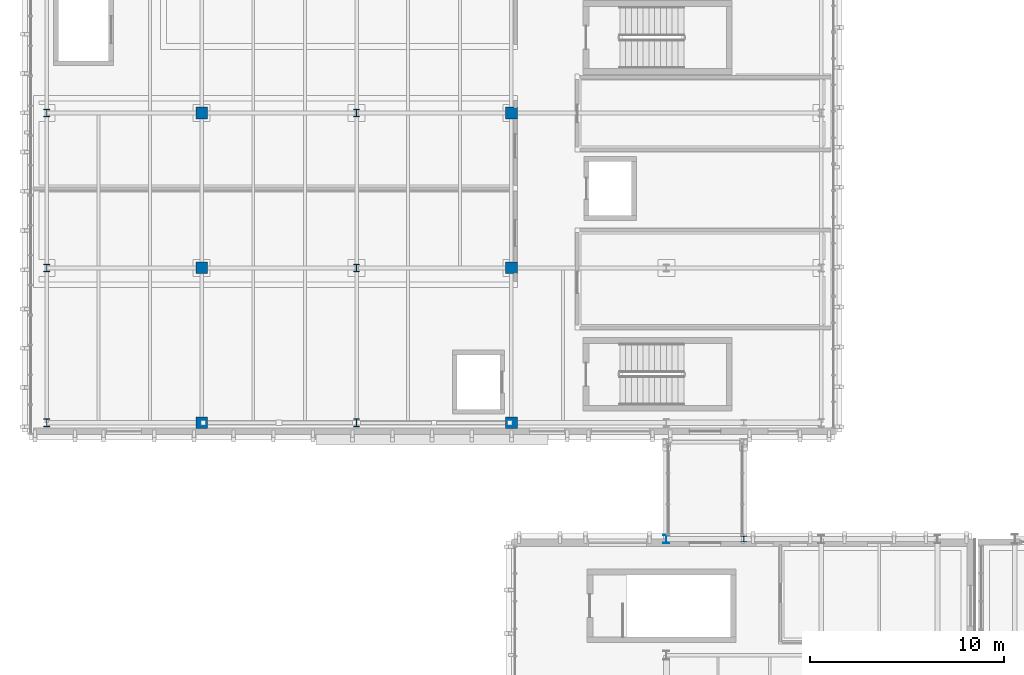
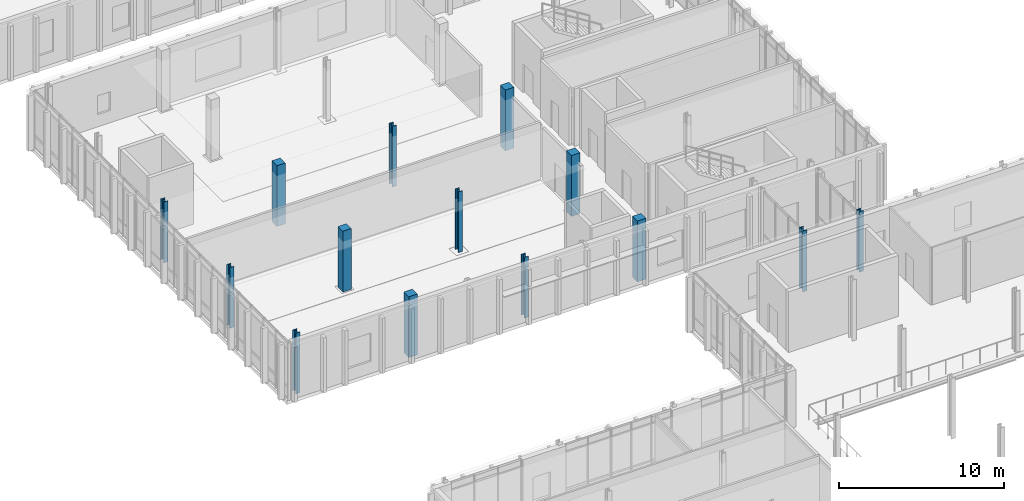
# One storey, part 4 of 100: 14 columns.
"""IFC4 building model written with IfcOpenShell, lengths in metres."""

from ifc_helpers import new_model, si_unit, direction, frame, origin, origin_2d, place, context, subcontext, project, spatial, rectangle, i_section, extrude, material, material_profile, profile_set, type_object, element, save


model = new_model("IFC4")

# Units and contexts
model_context = context("Model", 3, precision=1e-05, world=origin(), true_north=direction((0.0, 1.0)))
body_context = subcontext(model_context, "Body", "Model", "MODEL_VIEW")
ifc_project = project(units=[si_unit("LENGTHUNIT", "METRE"), si_unit("AREAUNIT", "SQUARE_METRE"), si_unit("VOLUMEUNIT", "CUBIC_METRE"), si_unit("PLANEANGLEUNIT", "RADIAN"), si_unit("MASSUNIT", "GRAM", prefix="KILO")], contexts=[model_context])

# Site, building, storey
site_placement = place(None, origin())
site = spatial("IfcSite", under=ifc_project, at=site_placement, CompositionType="ELEMENT")
building_placement = place(site_placement, origin())
building = spatial("IfcBuilding", under=site, at=building_placement, Name="Cymarion Research Institute", CompositionType="ELEMENT")
storey_placement = place(building_placement, frame((0.0, 0.0, 9.300048828125)))
storey = spatial("IfcBuildingStorey", under=building, at=storey_placement, Name="L02", CompositionType="ELEMENT", Elevation=9.300048828125)

# Columns
ifc_material_1 = material(Name="Steel S355", Category="steel")
ifc_material_profile_1 = material_profile(ifc_material_1, i_section(OverallWidth=0.300048828125, OverallDepth=0.449951171875, WebThickness=0.013916015625, FlangeThickness=0.02587890625, FilletRadius=0.027099609375, at=origin_2d()), Name="HEB 450")
ifc_profile_set_1 = profile_set([ifc_material_profile_1], Name="Steel S355")
column_type_1 = type_object("IfcColumnType", Name="STRUCTURAL COLUMN C05 HEB 450", PredefinedType="COLUMN", material=ifc_profile_set_1)
column_1_placement = place(storey_placement, frame((38.60009765625, 41.5, 0.0), z_axis=(0.0, 0.0, 1.0), x_axis=(1.0, 0.0, 0.0)))
element("IfcColumn", 1, at=column_1_placement, inside=storey, type_object=column_type_1, Name="L02 V3 column C05 #730", PredefinedType="COLUMN", context=body_context, shape_type="SweptSolid", body=[
    extrude(i_section(OverallWidth=0.300048828125, OverallDepth=0.449951171875, WebThickness=0.013916015625, FlangeThickness=0.02587890625, FilletRadius=0.027099609375, at=origin_2d()), origin(), (0.0, 0.0, 1.0), 4.5),
])
ifc_material_profile_2 = material_profile(ifc_material_1, i_section(OverallWidth=0.300048828125, OverallDepth=0.39990234375, WebThickness=0.013427734375, FlangeThickness=0.02392578125, FilletRadius=0.027099609375, at=origin_2d()), Name="HEB 400")
ifc_profile_set_2 = profile_set([ifc_material_profile_2], Name="Steel S355")
column_type_2 = type_object("IfcColumnType", Name="STRUCTURAL COLUMN C06 HEB 400", PredefinedType="COLUMN", material=ifc_profile_set_2)
for number, where, z_axis, x_axis, name in (
    (2, (6.60009765625, 47.5, 0.0), (0.0, 0.0, 1.0), (1.0, 0.0, 0.0), "L02 V4 column C06 #663"),
    (3, (6.60009765625, 55.5, 0.0), (0.0, 0.0, 1.0), (1.0, 0.0, 0.0), "L02 V4 column C06 #664"),
    (4, (6.60009765625, 63.5, 0.0), (0.0, 0.0, 1.0), (1.0, 0.0, 0.0), "L02 V4 column C06 #665"),
    (5, (22.60009765625, 47.5, 0.0), (0.0, 0.0, 1.0), (1.0, 0.0, 0.0), "L02 V4 column C06 #694"),
    (6, (22.60009765625, 55.5, 0.0), (0.0, 0.0, 1.0), (1.0, 0.0, 0.0), "L02 V4 column C06 #695"),
    (7, (22.60009765625, 63.5, 0.0), (0.0, 0.0, 1.0), (1.0, 0.0, 0.0), "L02 V4 column C06 #696"),
):
    element("IfcColumn", number, at=place(storey_placement, frame(where, z_axis=z_axis, x_axis=x_axis)), inside=storey, type_object=column_type_2, Name=name, PredefinedType="COLUMN", context=body_context, shape_type="SweptSolid", body=[
        extrude(i_section(OverallWidth=0.300048828125, OverallDepth=0.39990234375, WebThickness=0.013427734375, FlangeThickness=0.02392578125, FilletRadius=0.027099609375, at=origin_2d()), origin(), (0.0, 0.0, 1.0), 4.5),
    ])
ifc_material_profile_3 = material_profile(ifc_material_1, i_section(OverallWidth=0.300048828125, OverallDepth=0.300048828125, WebThickness=0.010986328125, FlangeThickness=0.01904296875, FilletRadius=0.027099609375, at=origin_2d()), Name="HEB 300")
ifc_profile_set_3 = profile_set([ifc_material_profile_3], Name="Steel S355")
column_type_3 = type_object("IfcColumnType", Name="STRUCTURAL COLUMN C08 HEB 300", PredefinedType="COLUMN", material=ifc_profile_set_3)
column_2_placement = place(storey_placement, frame((42.60009765625, 41.5, 0.0), z_axis=(0.0, 0.0, 1.0), x_axis=(1.0, 0.0, 0.0)))
element("IfcColumn", 8, at=column_2_placement, inside=storey, type_object=column_type_3, Name="L02 V3 column C08 #743", PredefinedType="COLUMN", context=body_context, shape_type="SweptSolid", body=[
    extrude(i_section(OverallWidth=0.300048828125, OverallDepth=0.300048828125, WebThickness=0.010986328125, FlangeThickness=0.01904296875, FilletRadius=0.027099609375, at=origin_2d()), origin(), (0.0, 0.0, 1.0), 4.5),
])
ifc_material_2 = material(Name="Concrete C40/50", Category="concrete")
ifc_material_profile_4 = material_profile(ifc_material_2, rectangle(XDim=0.60009765625, YDim=0.60009765625, at=origin_2d()), Name="RC 600x600")
ifc_profile_set_4 = profile_set([ifc_material_profile_4], Name="Concrete C40/50")
column_type_4 = type_object("IfcColumnType", Name="STRUCTURAL COLUMN C18 RC 600x600", PredefinedType="COLUMN", material=ifc_profile_set_4)
for number, where, z_axis, x_axis, name in (
    (9, (14.60009765625, 47.5, 0.0), (0.0, 0.0, 1.0), (1.0, 0.0, 0.0), "L02 V4 column C18 #679"),
    (10, (14.60009765625, 55.5, 0.0), (0.0, 0.0, 1.0), (1.0, 0.0, 0.0), "L02 V4 column C18 #680"),
    (11, (14.60009765625, 63.5, 0.0), (0.0, 0.0, 1.0), (1.0, 0.0, 0.0), "L02 V4 column C18 #681"),
    (12, (30.60009765625, 47.5, 0.0), (0.0, 0.0, 1.0), (1.0, 0.0, 0.0), "L02 V4 column C18 #710"),
    (13, (30.60009765625, 55.5, 0.0), (0.0, 0.0, 1.0), (1.0, 0.0, 0.0), "L02 V4 column C18 #711"),
    (14, (30.60009765625, 63.5, 0.0), (0.0, 0.0, 1.0), (1.0, 0.0, 0.0), "L02 V4 column C18 #712"),
):
    element("IfcColumn", number, at=place(storey_placement, frame(where, z_axis=z_axis, x_axis=x_axis)), inside=storey, type_object=column_type_4, Name=name, PredefinedType="COLUMN", context=body_context, shape_type="SweptSolid", body=[
        extrude(rectangle(XDim=0.60009765625, YDim=0.60009765625, at=origin_2d()), origin(), (0.0, 0.0, 1.0), 4.5),
    ])

save(model, "model.ifc")
